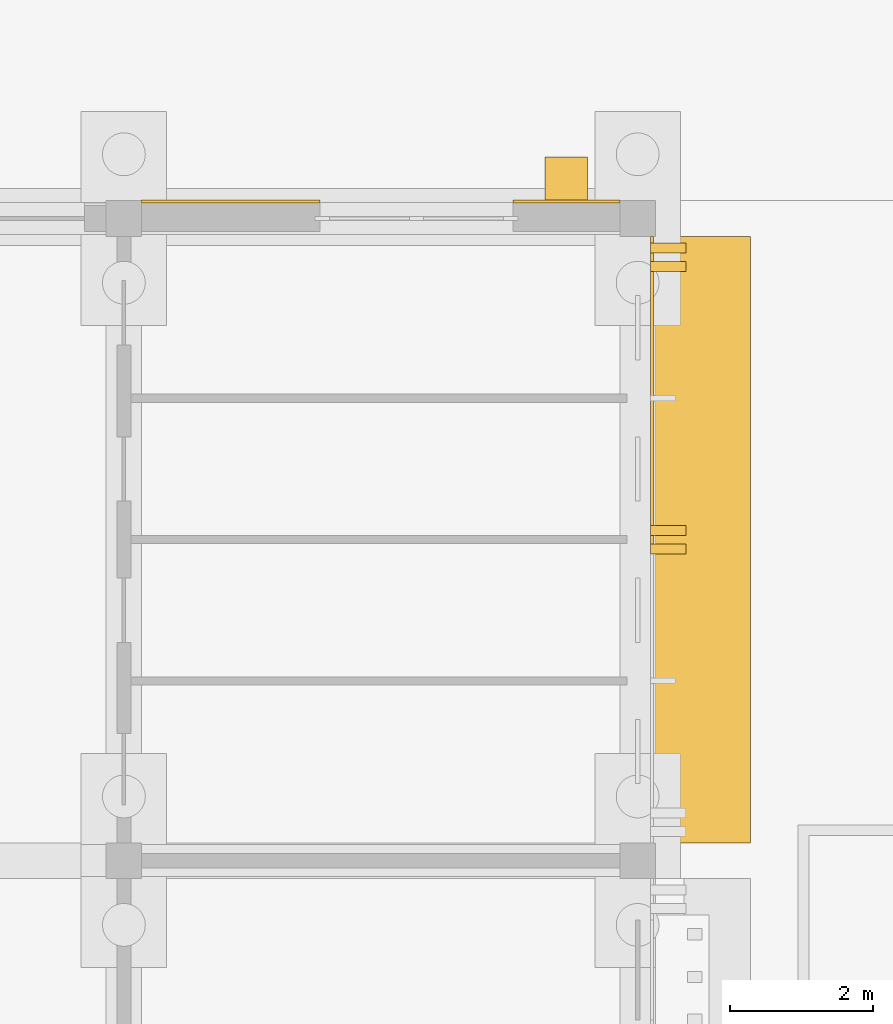
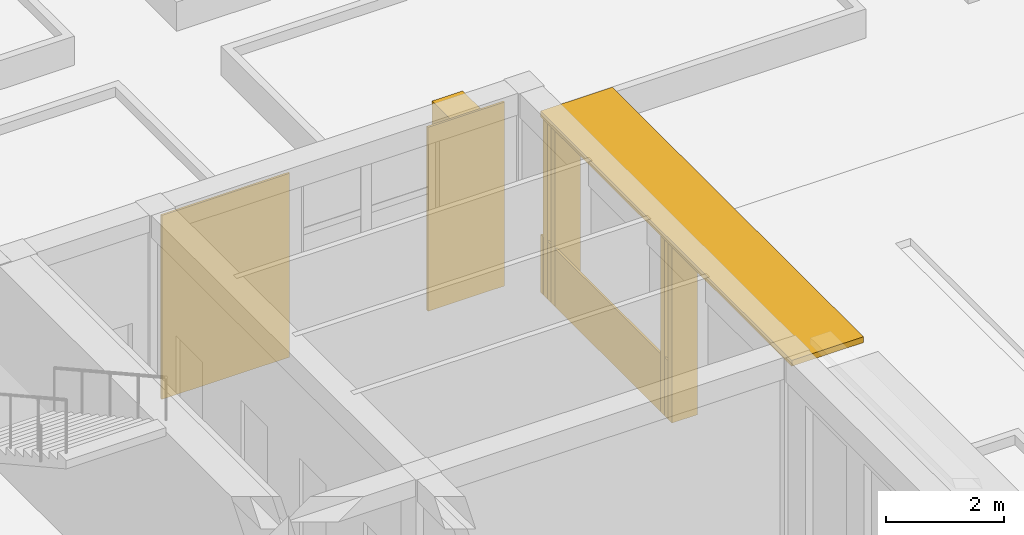
# One storey, part 143 of 161: 11 coverings, 1 shading device.
"""IFC4 building model written with IfcOpenShell, lengths in metres."""

from ifc_helpers import new_model, si_unit, direction, frame, origin, origin_2d, place, context, subcontext, project, spatial, rectangle, extrude, material, layer, layer_set, type_object, element, save


model = new_model("IFC4")

# Units and contexts
model_context = context("Model", 3, precision=1e-05, world=origin(), true_north=direction((0.0, 1.0)))
body_context = subcontext(model_context, "Body", "Model", "MODEL_VIEW")
ifc_project = project(units=[si_unit("LENGTHUNIT", "METRE"), si_unit("AREAUNIT", "SQUARE_METRE"), si_unit("VOLUMEUNIT", "CUBIC_METRE"), si_unit("PLANEANGLEUNIT", "RADIAN"), si_unit("MASSUNIT", "GRAM", prefix="KILO")], contexts=[model_context])

# Site, building, storey
site_placement = place(None, origin())
site = spatial("IfcSite", under=ifc_project, at=site_placement, CompositionType="ELEMENT")
building_placement = place(site_placement, origin())
building = spatial("IfcBuilding", under=site, at=building_placement, Name="Elbe Cascade School", CompositionType="ELEMENT")
storey_placement = place(building_placement, origin())
storey = spatial("IfcBuildingStorey", under=building, at=storey_placement, Name="L00", CompositionType="ELEMENT", Elevation=0.0)

# Shading device
ifc_material_1 = material(Name="Precast concrete C30/37", Category="concrete")
ifc_layer_1 = layer(ifc_material_1, 0.1201171875)
ifc_layer_set_1 = layer_set([ifc_layer_1], Name="Precast concrete C30/37")
shading_device_type = type_object("IfcShadingDeviceType", Name="Bars envelope Chhajja eave, precast concrete, 1400 x 120", PredefinedType="USERDEFINED", material=ifc_layer_set_1)
shading_device_placement = place(storey_placement, frame((146.179931640625, 55.5, 3.6298828125), z_axis=(0.0, 0.0, 1.0), x_axis=(0.0, 1.0, 0.0)))
element("IfcShadingDevice", 1, at=shading_device_placement, inside=storey, type_object=shading_device_type, Name="Chhajja eave SD8 C.L00.e6", ObjectType="CHHAJJA", PredefinedType="USERDEFINED", context=body_context, shape_type="SweptSolid", body=[
    extrude(rectangle(XDim=8.5, YDim=1.39990234375, at=origin_2d()), origin(), (0.0, 0.0, 1.0), 0.1201171875),
])

# Coverings
ifc_material_2 = material(Name="Precast concrete C40/50", Category="concrete")
covering_type_1 = type_object("IfcCoveringType", Name="Bars envelope Precast concrete fin, 140 wide, 500 deep", PredefinedType="CLADDING", material=ifc_material_2)
for number, where, z_axis, x_axis, name in (
    (2, (145.72998046875, 55.3701171875, 0.0), (0.0, 0.0, 1.0), (0.0, 1.0, 0.0), "Fin CV62 C.L00.e6.3"),
    (3, (145.72998046875, 55.6298828125, 0.0), (0.0, 0.0, 1.0), (0.0, 1.0, 0.0), "Fin CV62 C.L00.e6.4"),
    (4, (145.72998046875, 59.330078125, 0.0), (0.0, 0.0, 1.0), (0.0, 1.0, 0.0), "Fin CV62 C.L00.e6.5"),
    (5, (145.72998046875, 59.590087890625, 0.0), (0.0, 0.0, 1.0), (0.0, 1.0, 0.0), "Fin CV62 C.L00.e6.6"),
):
    element("IfcCovering", number, at=place(storey_placement, frame(where, z_axis=z_axis, x_axis=x_axis)), inside=storey, type_object=covering_type_1, Name=name, PredefinedType="CLADDING", context=body_context, shape_type="SweptSolid", body=[
        extrude(rectangle(XDim=0.139892578125, YDim=0.5, at=origin_2d()), origin(), (0.0, 0.0, 1.0), 3.6298828125),
    ])
ifc_material_3 = material(Name="Precast concrete C40/50", Category="concrete")
covering_type_2 = type_object("IfcCoveringType", Name="Bars envelope Precast concrete gable fin, 600 wide, 600 deep", PredefinedType="CLADDING", material=ifc_material_3)
covering_1_placement = place(storey_placement, frame((144.300048828125, 60.56005859375, 0.0), z_axis=(0.0, 0.0, 1.0), x_axis=(1.0, 0.0, 0.0)))
element("IfcCovering", 6, at=covering_1_placement, inside=storey, type_object=covering_type_2, Name="Fin CV63 C.L00.n.2", PredefinedType="CLADDING", context=body_context, shape_type="SweptSolid", body=[
    extrude(rectangle(XDim=0.60009765625, YDim=0.60009765625, at=origin_2d()), origin(), (0.0, 0.0, 1.0), 3.800048828125),
])
ifc_material_4 = material(Name="Sandstone - red", Category="masonry")
ifc_layer_2 = layer(ifc_material_4, 0.0400390625)
ifc_layer_set_2 = layer_set([ifc_layer_2], Name="Sandstone - red")
covering_type_3 = type_object("IfcCoveringType", Name="Bars envelope Sandstone cladding, red, 40 mm", PredefinedType="CLADDING", material=ifc_layer_set_2)
covering_2_placement = place(storey_placement, frame((145.5, 55.5, 0.0), z_axis=(0.0, 0.0, 1.0), x_axis=(0.0, 1.0, 0.0)))
element("IfcCovering", 7, at=covering_2_placement, inside=storey, type_object=covering_type_3, Name="Sandstone cladding CV48 C.L00.e.6.4", PredefinedType="CLADDING", context=body_context, shape_type="SweptSolid", body=[
    extrude(rectangle(XDim=0.1201171875, YDim=0.0400390625, at=origin_2d()), origin(), (0.0, 0.0, 1.0), 1.199951171875),
])
covering_3_placement = place(storey_placement, frame((145.5, 57.47998046875, 0.0), z_axis=(0.0, 0.0, 1.0), x_axis=(0.0, 1.0, 0.0)))
element("IfcCovering", 8, at=covering_3_placement, inside=storey, type_object=covering_type_3, Name="Sandstone cladding CV48 C.L00.e.6.5", PredefinedType="CLADDING", context=body_context, shape_type="SweptSolid", body=[
    extrude(rectangle(XDim=3.56005859375, YDim=0.0400390625, at=origin_2d()), origin(), (0.0, 0.0, 1.0), 1.199951171875),
])
covering_4_placement = place(storey_placement, frame((145.5, 59.4599609375, 0.0), z_axis=(0.0, 0.0, 1.0), x_axis=(0.0, 1.0, 0.0)))
element("IfcCovering", 9, at=covering_4_placement, inside=storey, type_object=covering_type_3, Name="Sandstone cladding CV48 C.L00.e.6.6", PredefinedType="CLADDING", context=body_context, shape_type="SweptSolid", body=[
    extrude(rectangle(XDim=0.1201171875, YDim=0.0400390625, at=origin_2d()), origin(), (0.0, 0.0, 1.0), 1.199951171875),
])
covering_5_placement = place(storey_placement, frame((145.5, 59.705078125, 0.0), z_axis=(0.0, 0.0, 1.0), x_axis=(0.0, 1.0, 0.0)))
element("IfcCovering", 10, at=covering_5_placement, inside=storey, type_object=covering_type_3, Name="Sandstone cladding CV48 C.L00.e.6.7", PredefinedType="CLADDING", context=body_context, shape_type="SweptSolid", body=[
    extrude(rectangle(XDim=0.090087890625, YDim=0.0400390625, at=origin_2d()), origin(), (0.0, 0.0, 1.0), 1.199951171875),
])
covering_6_placement = place(storey_placement, frame((139.60009765625, 60.239990234375, 0.0), z_axis=(0.0, 0.0, 1.0), x_axis=(1.0, 0.0, 0.0)))
element("IfcCovering", 11, at=covering_6_placement, inside=storey, type_object=covering_type_3, Name="Sandstone cladding CV48 C.L00.n.3a.1", PredefinedType="CLADDING", context=body_context, shape_type="SweptSolid", body=[
    extrude(rectangle(XDim=2.5, YDim=0.0400390625, at=origin_2d()), origin(), (0.0, 0.0, 1.0), 3.800048828125),
])
covering_7_placement = place(storey_placement, frame((144.300048828125, 60.239990234375, 0.0), z_axis=(0.0, 0.0, 1.0), x_axis=(1.0, 0.0, 0.0)))
element("IfcCovering", 12, at=covering_7_placement, inside=storey, type_object=covering_type_3, Name="Sandstone cladding CV48 C.L00.n.3b.1", PredefinedType="CLADDING", context=body_context, shape_type="SweptSolid", body=[
    extrude(rectangle(XDim=1.5, YDim=0.0400390625, at=origin_2d()), origin(), (0.0, 0.0, 1.0), 3.800048828125),
])

save(model, "model.ifc")
